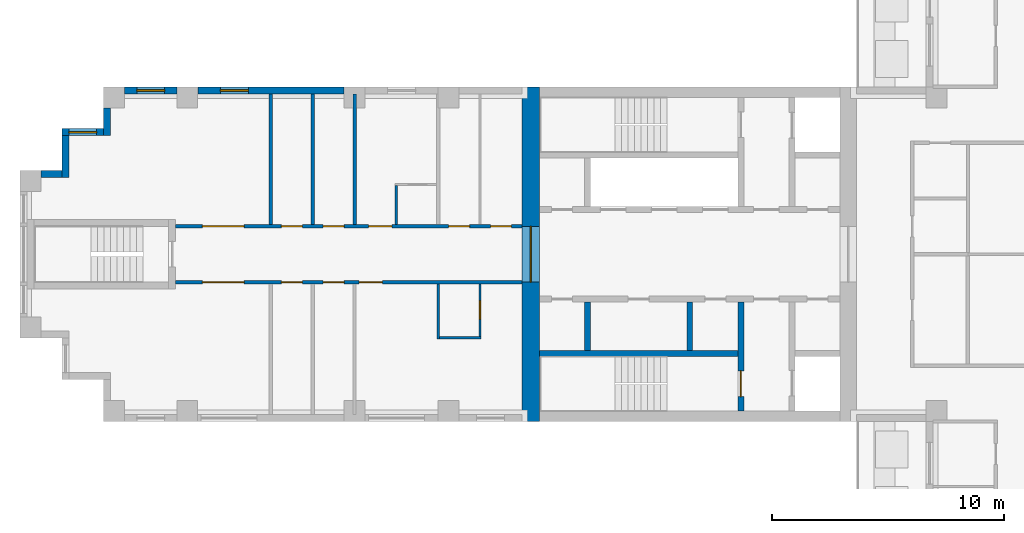
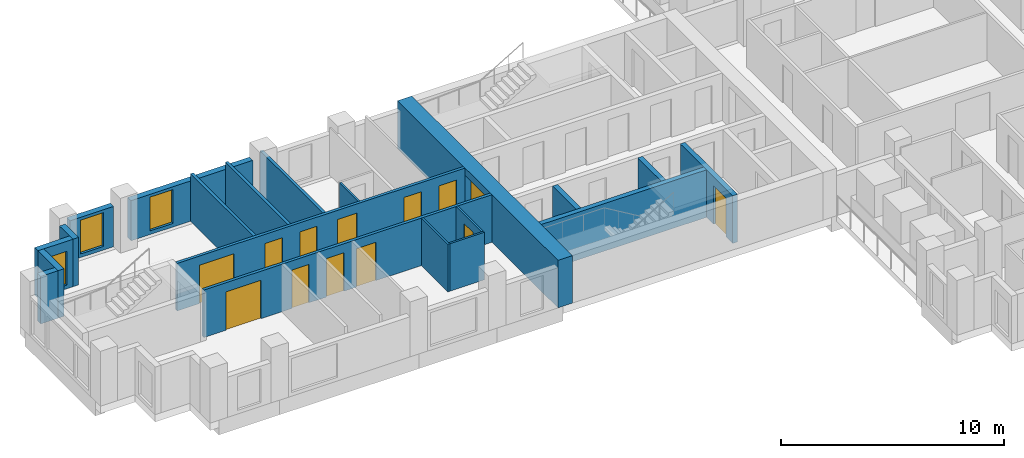
# One storey, part 3 of 12: 20 walls, 13 doors, 3 windows, 16 openings.
"""IFC4 building model written with IfcOpenShell, lengths in metres."""

from ifc_helpers import new_model, si_unit, direction, frame, frame_2d, origin, place, context, subcontext, project, spatial, rectangle, extrude, material, layer, layer_set, type_object, element, fill, save


model = new_model("IFC4")

# Units and contexts
model_context = context("Model", 3, precision=1e-05, world=origin(), true_north=direction((0.0, 1.0)))
body_context = subcontext(model_context, "Body", "Model", "MODEL_VIEW")
ifc_project = project(units=[si_unit("LENGTHUNIT", "METRE"), si_unit("AREAUNIT", "SQUARE_METRE"), si_unit("VOLUMEUNIT", "CUBIC_METRE"), si_unit("PLANEANGLEUNIT", "RADIAN"), si_unit("MASSUNIT", "GRAM", prefix="KILO")], contexts=[model_context])

# Site, building, storey
site_placement = place(None, origin())
site = spatial("IfcSite", under=ifc_project, at=site_placement, CompositionType="ELEMENT")
building_placement = place(site_placement, origin())
building = spatial("IfcBuilding", under=site, at=building_placement, Name="Fustian Cross Tower", CompositionType="ELEMENT")
storey_placement = place(building_placement, frame((0.0, 0.0, 147.300048828125)))
storey = spatial("IfcBuildingStorey", under=building, at=storey_placement, Name="L46", CompositionType="ELEMENT", Elevation=147.300048828125)

# Wall, openings, doors
ifc_material_1 = material(Name="Plasterboard on steel stud", Category="steel")
ifc_layer_1 = layer(ifc_material_1, 0.14990234375)
ifc_layer_set_1 = layer_set([ifc_layer_1], Name="Plasterboard on steel stud")
wall_type_1 = type_object("IfcWallType", Name="COMPARTMENT WALL 150 EI 60", PredefinedType="PARTITIONING", material=ifc_layer_set_1)
wall_1_placement = place(storey_placement, frame((-36.5, -1.199951171875, 0.0), z_axis=(0.0, 0.0, 1.0), x_axis=(1.0, 0.0, 0.0)))
wall_1 = element("IfcWall", 1, at=wall_1_placement, inside=storey, type_object=wall_type_1, Name="Partition 1", PredefinedType="PARTITIONING", context=body_context, shape_type="SweptSolid", body=[
    extrude(rectangle(XDim=14.89990234375, YDim=0.14990234375, at=frame_2d((7.449951171875, 0.0))), origin(), (0.0, 0.0, 1.0), 2.599853515625),
])
opening_1_placement = place(wall_1_placement, frame((7.89990234375, 0.0, 0.0)))
opening_1 = element("IfcOpeningElement", 2, at=opening_1_placement, cuts=wall_1, Name="Opening D21027", PredefinedType="OPENING", context=body_context, shape_type="SweptSolid", body=[
    extrude(rectangle(XDim=1.0, YDim=2.10009765625, at=frame_2d((0.5, 1.050048828125))), frame((0.0, 0.0849609375, 0.0), z_axis=(0.0, -1.0, 0.0), x_axis=(1.0, 0.0, 0.0)), (0.0, 0.0, 1.0), 0.169921875),
])
opening_2_placement = place(wall_1_placement, frame((6.35009765625, 0.0, 0.0)))
opening_2 = element("IfcOpeningElement", 3, at=opening_2_placement, cuts=wall_1, Name="Opening D21028", PredefinedType="OPENING", context=body_context, shape_type="SweptSolid", body=[
    extrude(rectangle(XDim=0.89990234375, YDim=2.10009765625, at=frame_2d((0.449951171875, 1.050048828125))), frame((0.0, 0.0849609375, 0.0), z_axis=(0.0, -1.0, 0.0), x_axis=(1.0, 0.0, 0.0)), (0.0, 0.0, 1.0), 0.169921875),
])
opening_3_placement = place(wall_1_placement, frame((4.550048828125, 0.0, 0.0)))
opening_3 = element("IfcOpeningElement", 4, at=opening_3_placement, cuts=wall_1, Name="Opening D21029", PredefinedType="OPENING", context=body_context, shape_type="SweptSolid", body=[
    extrude(rectangle(XDim=0.89990234375, YDim=2.10009765625, at=frame_2d((0.449951171875, 1.050048828125))), frame((0.0, 0.0849609375, 0.0), z_axis=(0.0, -1.0, 0.0), x_axis=(1.0, 0.0, 0.0)), (0.0, 0.0, 1.0), 0.169921875),
])
opening_4_placement = place(wall_1_placement, frame((1.14990234375, 0.0, 0.0)))
opening_4 = element("IfcOpeningElement", 5, at=opening_4_placement, cuts=wall_1, Name="Opening D21030", PredefinedType="OPENING", context=body_context, shape_type="SweptSolid", body=[
    extrude(rectangle(XDim=1.800048828125, YDim=2.10009765625, at=frame_2d((0.89990234375, 1.050048828125))), frame((0.0, 0.0849609375, 0.0), z_axis=(0.0, -1.0, 0.0), x_axis=(1.0, 0.0, 0.0)), (0.0, 0.0, 1.0), 0.169921875),
])
ifc_material_2 = material(Name="Timber fire door set", Category="wood")
door_type_1 = type_object("IfcDoorType", Name="FIRE DOUBLE DOOR 1800 FD30S", OperationType="DOUBLE_DOOR_DOUBLE_SWING", PredefinedType="DOOR", material=ifc_material_2)
door_1_placement = place(opening_4_placement, origin())
door_1 = element("IfcDoor", 6, at=door_1_placement, inside=storey, type_object=door_type_1, Name="Door D21030", OperationType="DOUBLE_DOOR_DOUBLE_SWING", OverallHeight=2.10009765625, OverallWidth=1.800048828125, PredefinedType="DOOR", context=body_context, shape_type="SweptSolid", body=[
    extrude(rectangle(XDim=1.800048828125, YDim=2.10009765625, at=frame_2d((0.89990234375, 1.050048828125))), frame((0.0, 0.02490234375, 0.0), z_axis=(0.0, -1.0, 0.0), x_axis=(1.0, 0.0, 0.0)), (0.0, 0.0, 1.0), 0.050048828125),
])
fill(opening_4, door_1)
ifc_material_3 = material(Name="Timber fire door set", Category="wood")
door_type_2 = type_object("IfcDoorType", Name="FIRE SWING DOOR 1000 FD30S", OperationType="SINGLE_SWING_LEFT", PredefinedType="DOOR", material=ifc_material_3)
door_2_placement = place(opening_1_placement, frame((1.0, 0.0, 0.0), z_axis=(0.0, 0.0, 1.0), x_axis=(-1.0, 0.0, 0.0)))
door_2 = element("IfcDoor", 7, at=door_2_placement, inside=storey, type_object=door_type_2, Name="Door D21027", OperationType="SINGLE_SWING_RIGHT", OverallHeight=2.10009765625, OverallWidth=1.0, PredefinedType="DOOR", context=body_context, shape_type="SweptSolid", body=[
    extrude(rectangle(XDim=1.0, YDim=2.10009765625, at=frame_2d((0.5, 1.050048828125))), frame((0.0, 0.02490234375, 0.0), z_axis=(0.0, -1.0, 0.0), x_axis=(1.0, 0.0, 0.0)), (0.0, 0.0, 1.0), 0.050048828125),
])
fill(opening_1, door_2)
ifc_material_4 = material(Name="Timber fire door set", Category="wood")
door_type_3 = type_object("IfcDoorType", Name="FIRE SWING DOOR 900 FD30S", OperationType="SINGLE_SWING_LEFT", PredefinedType="DOOR", material=ifc_material_4)
door_3_placement = place(opening_2_placement, frame((0.89990234375, 0.0, 0.0), z_axis=(0.0, 0.0, 1.0), x_axis=(-1.0, 0.0, 0.0)))
door_3 = element("IfcDoor", 8, at=door_3_placement, inside=storey, type_object=door_type_3, Name="Door D21028", OperationType="SINGLE_SWING_LEFT", OverallHeight=2.10009765625, OverallWidth=0.89990234375, PredefinedType="DOOR", context=body_context, shape_type="SweptSolid", body=[
    extrude(rectangle(XDim=0.89990234375, YDim=2.10009765625, at=frame_2d((0.449951171875, 1.050048828125))), frame((0.0, 0.02490234375, 0.0), z_axis=(0.0, -1.0, 0.0), x_axis=(1.0, 0.0, 0.0)), (0.0, 0.0, 1.0), 0.050048828125),
])
fill(opening_2, door_3)
door_4_placement = place(opening_3_placement, frame((0.89990234375, 0.0, 0.0), z_axis=(0.0, 0.0, 1.0), x_axis=(-1.0, 0.0, 0.0)))
door_4 = element("IfcDoor", 9, at=door_4_placement, inside=storey, type_object=door_type_3, Name="Door D21029", OperationType="SINGLE_SWING_LEFT", OverallHeight=2.10009765625, OverallWidth=0.89990234375, PredefinedType="DOOR", context=body_context, shape_type="SweptSolid", body=[
    extrude(rectangle(XDim=0.89990234375, YDim=2.10009765625, at=frame_2d((0.449951171875, 1.050048828125))), frame((0.0, 0.02490234375, 0.0), z_axis=(0.0, -1.0, 0.0), x_axis=(1.0, 0.0, 0.0)), (0.0, 0.0, 1.0), 0.050048828125),
])
fill(opening_3, door_4)

wall_2_placement = place(storey_placement, frame((-36.5, 1.199951171875, 0.0), z_axis=(0.0, 0.0, 1.0), x_axis=(1.0, 0.0, 0.0)))
wall_2 = element("IfcWall", 10, at=wall_2_placement, inside=storey, type_object=wall_type_1, Name="Partition 2", PredefinedType="PARTITIONING", context=body_context, shape_type="SweptSolid", body=[
    extrude(rectangle(XDim=14.89990234375, YDim=0.14990234375, at=frame_2d((7.449951171875, 0.0))), origin(), (0.0, 0.0, 1.0), 2.599853515625),
])
opening_5_placement = place(wall_2_placement, frame((13.550048828125, 0.0, 0.0)))
opening_5 = element("IfcOpeningElement", 11, at=opening_5_placement, cuts=wall_2, Name="Opening D21031", PredefinedType="OPENING", context=body_context, shape_type="SweptSolid", body=[
    extrude(rectangle(XDim=0.89990234375, YDim=2.10009765625, at=frame_2d((0.449951171875, 1.050048828125))), frame((0.0, 0.0849609375, 0.0), z_axis=(0.0, -1.0, 0.0), x_axis=(1.0, 0.0, 0.0)), (0.0, 0.0, 1.0), 0.169921875),
])
opening_6_placement = place(wall_2_placement, frame((11.75, 0.0, 0.0)))
opening_6 = element("IfcOpeningElement", 12, at=opening_6_placement, cuts=wall_2, Name="Opening D21032", PredefinedType="OPENING", context=body_context, shape_type="SweptSolid", body=[
    extrude(rectangle(XDim=0.89990234375, YDim=2.10009765625, at=frame_2d((0.449951171875, 1.050048828125))), frame((0.0, 0.0849609375, 0.0), z_axis=(0.0, -1.0, 0.0), x_axis=(1.0, 0.0, 0.0)), (0.0, 0.0, 1.0), 0.169921875),
])
opening_7_placement = place(wall_2_placement, frame((8.300048828125, 0.0, 0.0)))
opening_7 = element("IfcOpeningElement", 13, at=opening_7_placement, cuts=wall_2, Name="Opening D21034", PredefinedType="OPENING", context=body_context, shape_type="SweptSolid", body=[
    extrude(rectangle(XDim=1.0, YDim=2.10009765625, at=frame_2d((0.5, 1.050048828125))), frame((0.0, 0.0849609375, 0.0), z_axis=(0.0, -1.0, 0.0), x_axis=(1.0, 0.0, 0.0)), (0.0, 0.0, 1.0), 0.169921875),
])
opening_8_placement = place(wall_2_placement, frame((6.35009765625, 0.0, 0.0)))
opening_8 = element("IfcOpeningElement", 14, at=opening_8_placement, cuts=wall_2, Name="Opening D21035", PredefinedType="OPENING", context=body_context, shape_type="SweptSolid", body=[
    extrude(rectangle(XDim=0.89990234375, YDim=2.10009765625, at=frame_2d((0.449951171875, 1.050048828125))), frame((0.0, 0.0849609375, 0.0), z_axis=(0.0, -1.0, 0.0), x_axis=(1.0, 0.0, 0.0)), (0.0, 0.0, 1.0), 0.169921875),
])
opening_9_placement = place(wall_2_placement, frame((4.550048828125, 0.0, 0.0)))
opening_9 = element("IfcOpeningElement", 15, at=opening_9_placement, cuts=wall_2, Name="Opening D21036", PredefinedType="OPENING", context=body_context, shape_type="SweptSolid", body=[
    extrude(rectangle(XDim=0.89990234375, YDim=2.10009765625, at=frame_2d((0.449951171875, 1.050048828125))), frame((0.0, 0.0849609375, 0.0), z_axis=(0.0, -1.0, 0.0), x_axis=(1.0, 0.0, 0.0)), (0.0, 0.0, 1.0), 0.169921875),
])
opening_10_placement = place(wall_2_placement, frame((1.14990234375, 0.0, 0.0)))
opening_10 = element("IfcOpeningElement", 16, at=opening_10_placement, cuts=wall_2, Name="Opening D21037", PredefinedType="OPENING", context=body_context, shape_type="SweptSolid", body=[
    extrude(rectangle(XDim=1.800048828125, YDim=2.10009765625, at=frame_2d((0.89990234375, 1.050048828125))), frame((0.0, 0.0849609375, 0.0), z_axis=(0.0, -1.0, 0.0), x_axis=(1.0, 0.0, 0.0)), (0.0, 0.0, 1.0), 0.169921875),
])
door_5_placement = place(opening_10_placement, frame((1.800048828125, 0.0, 0.0), z_axis=(0.0, 0.0, 1.0), x_axis=(-1.0, 0.0, 0.0)))
door_5 = element("IfcDoor", 17, at=door_5_placement, inside=storey, type_object=door_type_1, Name="Door D21037", OperationType="DOUBLE_DOOR_DOUBLE_SWING", OverallHeight=2.10009765625, OverallWidth=1.800048828125, PredefinedType="DOOR", context=body_context, shape_type="SweptSolid", body=[
    extrude(rectangle(XDim=1.800048828125, YDim=2.10009765625, at=frame_2d((0.89990234375, 1.050048828125))), frame((0.0, 0.02490234375, 0.0), z_axis=(0.0, -1.0, 0.0), x_axis=(1.0, 0.0, 0.0)), (0.0, 0.0, 1.0), 0.050048828125),
])
fill(opening_10, door_5)
door_6_placement = place(opening_7_placement, origin())
door_6 = element("IfcDoor", 18, at=door_6_placement, inside=storey, type_object=door_type_2, Name="Door D21034", OperationType="SINGLE_SWING_RIGHT", OverallHeight=2.10009765625, OverallWidth=1.0, PredefinedType="DOOR", context=body_context, shape_type="SweptSolid", body=[
    extrude(rectangle(XDim=1.0, YDim=2.10009765625, at=frame_2d((0.5, 1.050048828125))), frame((0.0, 0.02490234375, 0.0), z_axis=(0.0, -1.0, 0.0), x_axis=(1.0, 0.0, 0.0)), (0.0, 0.0, 1.0), 0.050048828125),
])
fill(opening_7, door_6)
door_7_placement = place(opening_5_placement, origin())
door_7 = element("IfcDoor", 19, at=door_7_placement, inside=storey, type_object=door_type_3, Name="Door D21031", OperationType="SINGLE_SWING_RIGHT", OverallHeight=2.10009765625, OverallWidth=0.89990234375, PredefinedType="DOOR", context=body_context, shape_type="SweptSolid", body=[
    extrude(rectangle(XDim=0.89990234375, YDim=2.10009765625, at=frame_2d((0.449951171875, 1.050048828125))), frame((0.0, 0.02490234375, 0.0), z_axis=(0.0, -1.0, 0.0), x_axis=(1.0, 0.0, 0.0)), (0.0, 0.0, 1.0), 0.050048828125),
])
fill(opening_5, door_7)
door_8_placement = place(opening_6_placement, origin())
door_8 = element("IfcDoor", 20, at=door_8_placement, inside=storey, type_object=door_type_3, Name="Door D21032", OperationType="SINGLE_SWING_RIGHT", OverallHeight=2.10009765625, OverallWidth=0.89990234375, PredefinedType="DOOR", context=body_context, shape_type="SweptSolid", body=[
    extrude(rectangle(XDim=0.89990234375, YDim=2.10009765625, at=frame_2d((0.449951171875, 1.050048828125))), frame((0.0, 0.02490234375, 0.0), z_axis=(0.0, -1.0, 0.0), x_axis=(1.0, 0.0, 0.0)), (0.0, 0.0, 1.0), 0.050048828125),
])
fill(opening_6, door_8)
door_9_placement = place(opening_8_placement, origin())
door_9 = element("IfcDoor", 21, at=door_9_placement, inside=storey, type_object=door_type_3, Name="Door D21035", OperationType="SINGLE_SWING_RIGHT", OverallHeight=2.10009765625, OverallWidth=0.89990234375, PredefinedType="DOOR", context=body_context, shape_type="SweptSolid", body=[
    extrude(rectangle(XDim=0.89990234375, YDim=2.10009765625, at=frame_2d((0.449951171875, 1.050048828125))), frame((0.0, 0.02490234375, 0.0), z_axis=(0.0, -1.0, 0.0), x_axis=(1.0, 0.0, 0.0)), (0.0, 0.0, 1.0), 0.050048828125),
])
fill(opening_8, door_9)
door_10_placement = place(opening_9_placement, frame((0.89990234375, 0.0, 0.0), z_axis=(0.0, 0.0, 1.0), x_axis=(-1.0, 0.0, 0.0)))
door_10 = element("IfcDoor", 22, at=door_10_placement, inside=storey, type_object=door_type_3, Name="Door D21036", OperationType="SINGLE_SWING_RIGHT", OverallHeight=2.10009765625, OverallWidth=0.89990234375, PredefinedType="DOOR", context=body_context, shape_type="SweptSolid", body=[
    extrude(rectangle(XDim=0.89990234375, YDim=2.10009765625, at=frame_2d((0.449951171875, 1.050048828125))), frame((0.0, 0.02490234375, 0.0), z_axis=(0.0, -1.0, 0.0), x_axis=(1.0, 0.0, 0.0)), (0.0, 0.0, 1.0), 0.050048828125),
])
fill(opening_9, door_10)

# Walls
for number, where, z_axis, x_axis, name in (
    (23, (-32.39990234375, 1.27490234375, 0.0), (0.0, 0.0, 1.0), (0.0, 1.0, 0.0), "Partition 4"),
    (24, (-30.60009765625, 1.27490234375, 0.0), (0.0, 0.0, 1.0), (0.0, 1.0, 0.0), "Partition 6"),
    (25, (-28.800048828125, 1.27490234375, 0.0), (0.0, 0.0, 1.0), (0.0, 1.0, 0.0), "Partition 8"),
):
    element("IfcWall", number, at=place(storey_placement, frame(where, z_axis=z_axis, x_axis=x_axis)), inside=storey, type_object=wall_type_1, Name=name, PredefinedType="PARTITIONING", context=body_context, shape_type="SweptSolid", body=[
        extrude(rectangle(XDim=5.625, YDim=0.14990234375, at=frame_2d((2.8125, 0.0))), origin(), (0.0, 0.0, 1.0), 2.599853515625),
    ])

# Wall, opening, door
ifc_material_5 = material(Name="Concrete C60/75", Category="concrete")
ifc_layer_2 = layer(ifc_material_5, 0.75)
ifc_layer_set_2 = layer_set([ifc_layer_2], Name="Concrete C60/75")
wall_type_2 = type_object("IfcWallType", Name="CORE END WALL 750 C60/75", PredefinedType="SHEAR", material=ifc_layer_set_2)
wall_3_placement = place(storey_placement, frame((-21.22509765625, -7.199951171875, 0.0), z_axis=(0.0, 0.0, 1.0), x_axis=(0.0, 1.0, 0.0)))
wall_3 = element("IfcWall", 26, at=wall_3_placement, inside=storey, type_object=wall_type_2, Name="Core end wall", PredefinedType="SHEAR", context=body_context, shape_type="SweptSolid", body=[
    extrude(rectangle(XDim=14.39990234375, YDim=0.75, at=frame_2d((7.199951171875, 0.0))), origin(), (0.0, 0.0, 1.0), 2.599853515625),
])
opening_11_placement = place(wall_3_placement, frame((6.0, 0.0, 0.0)))
opening_11 = element("IfcOpeningElement", 27, at=opening_11_placement, cuts=wall_3, Name="Opening CD-16-30", PredefinedType="OPENING", context=body_context, shape_type="SweptSolid", body=[
    extrude(rectangle(XDim=2.39990234375, YDim=2.199951171875, at=frame_2d((1.199951171875, 1.10009765625))), frame((0.0, 0.385009765625, 0.0), z_axis=(0.0, -1.0, 0.0), x_axis=(1.0, 0.0, 0.0)), (0.0, 0.0, 1.0), 0.77001953125),
])
ifc_material_6 = material(Name="Steel", Category="steel")
door_type_4 = type_object("IfcDoorType", Name="FIRE DOOR FD30S DOUBLE 2400X2200", OperationType="DOUBLE_DOOR_DOUBLE_SWING", PredefinedType="DOOR", material=ifc_material_6)
door_11_placement = place(opening_11_placement, frame((2.39990234375, 0.0, 0.0), z_axis=(0.0, 0.0, 1.0), x_axis=(-1.0, 0.0, 0.0)))
door_11 = element("IfcDoor", 28, at=door_11_placement, inside=storey, type_object=door_type_4, Name="Core door CD-16-30", OperationType="DOUBLE_DOOR_DOUBLE_SWING", OverallHeight=2.199951171875, OverallWidth=2.39990234375, PredefinedType="DOOR", context=body_context, shape_type="SweptSolid", body=[
    extrude(rectangle(XDim=2.39990234375, YDim=2.199951171875, at=frame_2d((1.199951171875, 1.10009765625))), frame((0.0, 0.02490234375, 0.0), z_axis=(0.0, -1.0, 0.0), x_axis=(1.0, 0.0, 0.0)), (0.0, 0.0, 1.0), 0.050048828125),
])
fill(opening_11, door_11)

# Wall
ifc_material_7 = material(Name="Concrete C50/60", Category="concrete")
ifc_layer_3 = layer(ifc_material_7, 0.25)
ifc_layer_set_3 = layer_set([ifc_layer_3], Name="Concrete C50/60")
wall_type_3 = type_object("IfcWallType", Name="CORE SHAFT WALL 250 C50/60", PredefinedType="SHEAR", material=ifc_layer_set_3)
wall_4_placement = place(storey_placement, frame((-12.300048828125, -4.27490234375, 0.0), z_axis=(0.0, 0.0, 1.0), x_axis=(-1.0, 0.0, 0.0)))
element("IfcWall", 29, at=wall_4_placement, inside=storey, type_object=wall_type_3, Name="Core shaft wall", PredefinedType="SHEAR", context=body_context, shape_type="SweptSolid", body=[
    extrude(rectangle(XDim=8.550048828125, YDim=0.25, at=frame_2d((4.27490234375, 0.0))), origin(), (0.0, 0.0, 1.0), 2.599853515625),
])

# Wall, opening, door
wall_5_placement = place(storey_placement, frame((-12.175048828125, -2.050048828125, 0.0), z_axis=(0.0, 0.0, 1.0), x_axis=(0.0, -1.0, 0.0)))
wall_5 = element("IfcWall", 30, at=wall_5_placement, inside=storey, type_object=wall_type_3, Name="Core shaft wall", PredefinedType="SHEAR", context=body_context, shape_type="SweptSolid", body=[
    extrude(rectangle(XDim=4.699951171875, YDim=0.25, at=frame_2d((2.35009765625, 0.0))), origin(), (0.0, 0.0, 1.0), 2.599853515625),
])
opening_12_placement = place(wall_5_placement, frame((2.97509765625, 0.0, 0.0)))
opening_12 = element("IfcOpeningElement", 31, at=opening_12_placement, cuts=wall_5, Name="Opening CD-16-24", PredefinedType="OPENING", context=body_context, shape_type="SweptSolid", body=[
    extrude(rectangle(XDim=1.10009765625, YDim=2.10009765625, at=frame_2d((0.550048828125, 1.050048828125))), frame((0.0, 0.135009765625, 0.0), z_axis=(0.0, -1.0, 0.0), x_axis=(1.0, 0.0, 0.0)), (0.0, 0.0, 1.0), 0.27001953125),
])
ifc_material_8 = material(Name="Steel", Category="steel")
door_type_5 = type_object("IfcDoorType", Name="FIRE DOOR FD60S 1100X2100", OperationType="SINGLE_SWING_LEFT", PredefinedType="DOOR", material=ifc_material_8)
door_12_placement = place(opening_12_placement, frame((1.10009765625, 0.0, 0.0), z_axis=(0.0, 0.0, 1.0), x_axis=(-1.0, 0.0, 0.0)))
door_12 = element("IfcDoor", 32, at=door_12_placement, inside=storey, type_object=door_type_5, Name="Core door CD-16-24", OperationType="SINGLE_SWING_RIGHT", OverallHeight=2.10009765625, OverallWidth=1.10009765625, PredefinedType="DOOR", context=body_context, shape_type="SweptSolid", body=[
    extrude(rectangle(XDim=1.10009765625, YDim=2.10009765625, at=frame_2d((0.550048828125, 1.050048828125))), frame((0.0, 0.02490234375, 0.0), z_axis=(0.0, -1.0, 0.0), x_axis=(1.0, 0.0, 0.0)), (0.0, 0.0, 1.0), 0.050048828125),
])
fill(opening_12, door_12)

# Walls
ifc_material_9 = material(Name="Plasterboard on steel stud", Category="steel")
ifc_layer_4 = layer(ifc_material_9, 0.10009765625)
ifc_layer_set_4 = layer_set([ifc_layer_4], Name="Plasterboard on steel stud")
wall_type_4 = type_object("IfcWallType", Name="PARTITION 100 STUD", PredefinedType="PARTITIONING", material=ifc_layer_set_4)
wall_6_placement = place(storey_placement, frame((-27.0, 1.27490234375, 0.0), z_axis=(0.0, 0.0, 1.0), x_axis=(0.0, 1.0, 0.0)))
element("IfcWall", 33, at=wall_6_placement, inside=storey, type_object=wall_type_4, Name="Partition 9", PredefinedType="PARTITIONING", context=body_context, shape_type="SweptSolid", body=[
    extrude(rectangle(XDim=1.675048828125, YDim=0.10009765625, at=frame_2d((0.83740234375, 0.0))), origin(), (0.0, 0.0, 1.0), 2.599853515625),
])
wall_7_placement = place(storey_placement, frame((-25.199951171875, -3.64990234375, 0.0), z_axis=(0.0, 0.0, 1.0), x_axis=(0.0, 1.0, 0.0)))
element("IfcWall", 34, at=wall_7_placement, inside=storey, type_object=wall_type_4, Name="Partition 11", PredefinedType="PARTITIONING", context=body_context, shape_type="SweptSolid", body=[
    extrude(rectangle(XDim=2.375, YDim=0.10009765625, at=frame_2d((1.1875, 0.0))), origin(), (0.0, 0.0, 1.0), 2.599853515625),
])
wall_8_placement = place(storey_placement, frame((-25.14990234375, -3.60009765625, 0.0), z_axis=(0.0, 0.0, 1.0), x_axis=(1.0, 0.0, 0.0)))
element("IfcWall", 35, at=wall_8_placement, inside=storey, type_object=wall_type_4, Name="Partition 12", PredefinedType="PARTITIONING", context=body_context, shape_type="SweptSolid", body=[
    extrude(rectangle(XDim=1.7998046875, YDim=0.10009765625, at=frame_2d((0.89990234375, 0.0))), origin(), (0.0, 0.0, 1.0), 2.599853515625),
])

# Wall, opening, door
wall_9_placement = place(storey_placement, frame((-23.39990234375, -3.550048828125, 0.0), z_axis=(0.0, 0.0, 1.0), x_axis=(0.0, 1.0, 0.0)))
wall_9 = element("IfcWall", 36, at=wall_9_placement, inside=storey, type_object=wall_type_4, Name="Partition 14", PredefinedType="PARTITIONING", context=body_context, shape_type="SweptSolid", body=[
    extrude(rectangle(XDim=2.275146484375, YDim=0.10009765625, at=frame_2d((1.1376953125, 0.0))), origin(), (0.0, 0.0, 1.0), 2.599853515625),
])
opening_13_placement = place(wall_9_placement, frame((0.75, 0.0, 0.0)))
opening_13 = element("IfcOpeningElement", 37, at=opening_13_placement, cuts=wall_9, Name="Opening D21026", PredefinedType="OPENING", context=body_context, shape_type="SweptSolid", body=[
    extrude(rectangle(XDim=0.800048828125, YDim=2.10009765625, at=frame_2d((0.39990234375, 1.050048828125))), frame((0.0, 0.06005859375, 0.0), z_axis=(0.0, -1.0, 0.0), x_axis=(1.0, 0.0, 0.0)), (0.0, 0.0, 1.0), 0.1201171875),
])
ifc_material_10 = material(Name="Painted timber", Category="wood")
door_type_6 = type_object("IfcDoorType", Name="SWING DOOR 800", OperationType="SINGLE_SWING_LEFT", PredefinedType="DOOR", material=ifc_material_10)
door_13_placement = place(opening_13_placement, origin())
door_13 = element("IfcDoor", 38, at=door_13_placement, inside=storey, type_object=door_type_6, Name="Door D21026", OperationType="SINGLE_SWING_LEFT", OverallHeight=2.10009765625, OverallWidth=0.800048828125, PredefinedType="DOOR", context=body_context, shape_type="SweptSolid", body=[
    extrude(rectangle(XDim=0.800048828125, YDim=2.10009765625, at=frame_2d((0.39990234375, 1.050048828125))), frame((0.0, 0.02490234375, 0.0), z_axis=(0.0, -1.0, 0.0), x_axis=(1.0, 0.0, 0.0)), (0.0, 0.0, 1.0), 0.050048828125),
])
fill(opening_13, door_13)

# Walls
ifc_material_11 = material(Name="Concrete C40/50", Category="concrete")
ifc_layer_5 = layer(ifc_material_11, 0.25)
ifc_layer_set_5 = layer_set([ifc_layer_5], Name="Concrete C40/50")
wall_type_5 = type_object("IfcWallType", Name="SHAFT PARTITION WALL 250 C40/50", PredefinedType="PARTITIONING", material=ifc_layer_set_5)
for number, where, z_axis, x_axis, name in (
    (39, (-14.375, -2.050048828125, 0.0), (0.0, 0.0, 1.0), (0.0, -1.0, 0.0), "Core shaft wall"),
    (40, (-18.77490234375, -2.050048828125, 0.0), (0.0, 0.0, 1.0), (0.0, -1.0, 0.0), "Core shaft wall"),
):
    element("IfcWall", number, at=place(storey_placement, frame(where, z_axis=z_axis, x_axis=x_axis)), inside=storey, type_object=wall_type_5, Name=name, PredefinedType="PARTITIONING", context=body_context, shape_type="SweptSolid", body=[
        extrude(rectangle(XDim=2.099853515625, YDim=0.25, at=frame_2d((1.0498046875, 0.0))), origin(), (0.0, 0.0, 1.0), 2.599853515625),
    ])

# Wall, opening, window
ifc_material_12 = material(Name="Dark aluminium cladding on insulated backing wall", Category="aluminium")
ifc_layer_6 = layer(ifc_material_12, 0.300048828125)
ifc_layer_set_6 = layer_set([ifc_layer_6], Name="Dark aluminium cladding on insulated backing wall")
wall_type_6 = type_object("IfcWallType", Name="XW1 EXTERNAL WALL 300", PredefinedType="SOLIDWALL", material=ifc_layer_set_6)
wall_10_placement = place(storey_placement, frame((-29.25, 7.050048828125, 0.0), z_axis=(0.0, 0.0, 1.0), x_axis=(-1.0, 0.0, 0.0)))
wall_10 = element("IfcWall", 41, at=wall_10_placement, inside=storey, type_object=wall_type_6, Name="External wall", PredefinedType="SOLIDWALL", context=body_context, shape_type="SweptSolid", body=[
    extrude(rectangle(XDim=6.300048828125, YDim=0.300048828125, at=frame_2d((3.14990234375, 0.0))), origin(), (0.0, 0.0, 1.0), 2.199951171875),
])
opening_14_placement = place(wall_10_placement, frame((4.125, 0.0, 0.199951171875)))
opening_14 = element("IfcOpeningElement", 42, at=opening_14_placement, cuts=wall_10, Name="Opening WN3", PredefinedType="OPENING", context=body_context, shape_type="SweptSolid", body=[
    extrude(rectangle(XDim=1.199951171875, YDim=1.85009765625, at=frame_2d((0.60009765625, 0.925048828125))), frame((0.0, 0.159912109375, 0.0), z_axis=(0.0, -1.0, 0.0), x_axis=(1.0, 0.0, 0.0)), (0.0, 0.0, 1.0), 0.320068359375),
])
ifc_material_13 = material(Name="Dark anodised aluminium and double glazing", Category="aluminium")
window_type = type_object("IfcWindowType", Name="WN3 WINDOW 1200X1850", PartitioningType="SINGLE_PANEL", PredefinedType="WINDOW", material=ifc_material_13)
window_1_placement = place(opening_14_placement, origin())
window_1 = element("IfcWindow", 43, at=window_1_placement, inside=storey, type_object=window_type, Name="Window", OverallHeight=1.85009765625, OverallWidth=1.199951171875, PartitioningType="SINGLE_PANEL", PredefinedType="WINDOW", context=body_context, shape_type="SweptSolid", body=[
    extrude(rectangle(XDim=1.199951171875, YDim=1.85009765625, at=frame_2d((0.60009765625, 0.925048828125))), frame((0.0, 0.030029296875, 0.0), z_axis=(0.0, -1.0, 0.0), x_axis=(1.0, 0.0, 0.0)), (0.0, 0.0, 1.0), 0.06005859375),
])
fill(opening_14, window_1)

wall_11_placement = place(storey_placement, frame((-36.449951171875, 7.050048828125, 0.0), z_axis=(0.0, 0.0, 1.0), x_axis=(-1.0, 0.0, 0.0)))
wall_11 = element("IfcWall", 44, at=wall_11_placement, inside=storey, type_object=wall_type_6, Name="External wall", PredefinedType="SOLIDWALL", context=body_context, shape_type="SweptSolid", body=[
    extrude(rectangle(XDim=2.25, YDim=0.300048828125, at=frame_2d((1.125, 0.0))), origin(), (0.0, 0.0, 1.0), 2.199951171875),
])
opening_15_placement = place(wall_11_placement, frame((0.52490234375, 0.0, 0.199951171875)))
opening_15 = element("IfcOpeningElement", 45, at=opening_15_placement, cuts=wall_11, Name="Opening WN3", PredefinedType="OPENING", context=body_context, shape_type="SweptSolid", body=[
    extrude(rectangle(XDim=1.199951171875, YDim=1.85009765625, at=frame_2d((0.60009765625, 0.925048828125))), frame((0.0, 0.159912109375, 0.0), z_axis=(0.0, -1.0, 0.0), x_axis=(1.0, 0.0, 0.0)), (0.0, 0.0, 1.0), 0.320068359375),
])
window_2_placement = place(opening_15_placement, origin())
window_2 = element("IfcWindow", 46, at=window_2_placement, inside=storey, type_object=window_type, Name="Window", OverallHeight=1.85009765625, OverallWidth=1.199951171875, PartitioningType="SINGLE_PANEL", PredefinedType="WINDOW", context=body_context, shape_type="SweptSolid", body=[
    extrude(rectangle(XDim=1.199951171875, YDim=1.85009765625, at=frame_2d((0.60009765625, 0.925048828125))), frame((0.0, 0.030029296875, 0.0), z_axis=(0.0, -1.0, 0.0), x_axis=(1.0, 0.0, 0.0)), (0.0, 0.0, 1.0), 0.06005859375),
])
fill(opening_15, window_2)

# Wall
wall_12_placement = place(storey_placement, frame((-39.449951171875, 6.300048828125, 0.0), z_axis=(0.0, 0.0, 1.0), x_axis=(0.0, -1.0, 0.0)))
element("IfcWall", 47, at=wall_12_placement, inside=storey, type_object=wall_type_6, Name="External wall", PredefinedType="SOLIDWALL", context=body_context, shape_type="SweptSolid", body=[
    extrude(rectangle(XDim=1.199951171875, YDim=0.300048828125, at=frame_2d((0.60009765625, 0.0))), origin(), (0.0, 0.0, 1.0), 2.599853515625),
])

# Wall, opening, window
wall_13_placement = place(storey_placement, frame((-39.60009765625, 5.25, 0.0), z_axis=(0.0, 0.0, 1.0), x_axis=(-1.0, 0.0, 0.0)))
wall_13 = element("IfcWall", 48, at=wall_13_placement, inside=storey, type_object=wall_type_6, Name="External wall", PredefinedType="SOLIDWALL", context=body_context, shape_type="SweptSolid", body=[
    extrude(rectangle(XDim=1.7998046875, YDim=0.300048828125, at=frame_2d((0.89990234375, 0.0))), origin(), (0.0, 0.0, 1.0), 2.599853515625),
])
opening_16_placement = place(wall_13_placement, frame((0.300048828125, 0.0, 0.199951171875)))
opening_16 = element("IfcOpeningElement", 49, at=opening_16_placement, cuts=wall_13, Name="Opening WN3", PredefinedType="OPENING", context=body_context, shape_type="SweptSolid", body=[
    extrude(rectangle(XDim=1.199951171875, YDim=1.85009765625, at=frame_2d((0.60009765625, 0.925048828125))), frame((0.0, 0.159912109375, 0.0), z_axis=(0.0, -1.0, 0.0), x_axis=(1.0, 0.0, 0.0)), (0.0, 0.0, 1.0), 0.320068359375),
])
window_3_placement = place(opening_16_placement, origin())
window_3 = element("IfcWindow", 50, at=window_3_placement, inside=storey, type_object=window_type, Name="Window", OverallHeight=1.85009765625, OverallWidth=1.199951171875, PartitioningType="SINGLE_PANEL", PredefinedType="WINDOW", context=body_context, shape_type="SweptSolid", body=[
    extrude(rectangle(XDim=1.199951171875, YDim=1.85009765625, at=frame_2d((0.60009765625, 0.925048828125))), frame((0.0, 0.030029296875, 0.0), z_axis=(0.0, -1.0, 0.0), x_axis=(1.0, 0.0, 0.0)), (0.0, 0.0, 1.0), 0.06005859375),
])
fill(opening_16, window_3)

# Walls
wall_14_placement = place(storey_placement, frame((-41.25, 5.10009765625, 0.0), z_axis=(0.0, 0.0, 1.0), x_axis=(0.0, -1.0, 0.0)))
element("IfcWall", 51, at=wall_14_placement, inside=storey, type_object=wall_type_6, Name="External wall", PredefinedType="SOLIDWALL", context=body_context, shape_type="SweptSolid", body=[
    extrude(rectangle(XDim=1.800048828125, YDim=0.300048828125, at=frame_2d((0.89990234375, 0.0))), origin(), (0.0, 0.0, 1.0), 2.599853515625),
])
wall_15_placement = place(storey_placement, frame((-41.39990234375, 3.449951171875, 0.0), z_axis=(0.0, 0.0, 1.0), x_axis=(-1.0, 0.0, 0.0)))
element("IfcWall", 52, at=wall_15_placement, inside=storey, type_object=wall_type_6, Name="External wall", PredefinedType="SOLIDWALL", context=body_context, shape_type="SweptSolid", body=[
    extrude(rectangle(XDim=0.900146484375, YDim=0.300048828125, at=frame_2d((0.4501953125, 0.0))), origin(), (0.0, 0.0, 1.0), 2.599853515625),
])

save(model, "model.ifc")
